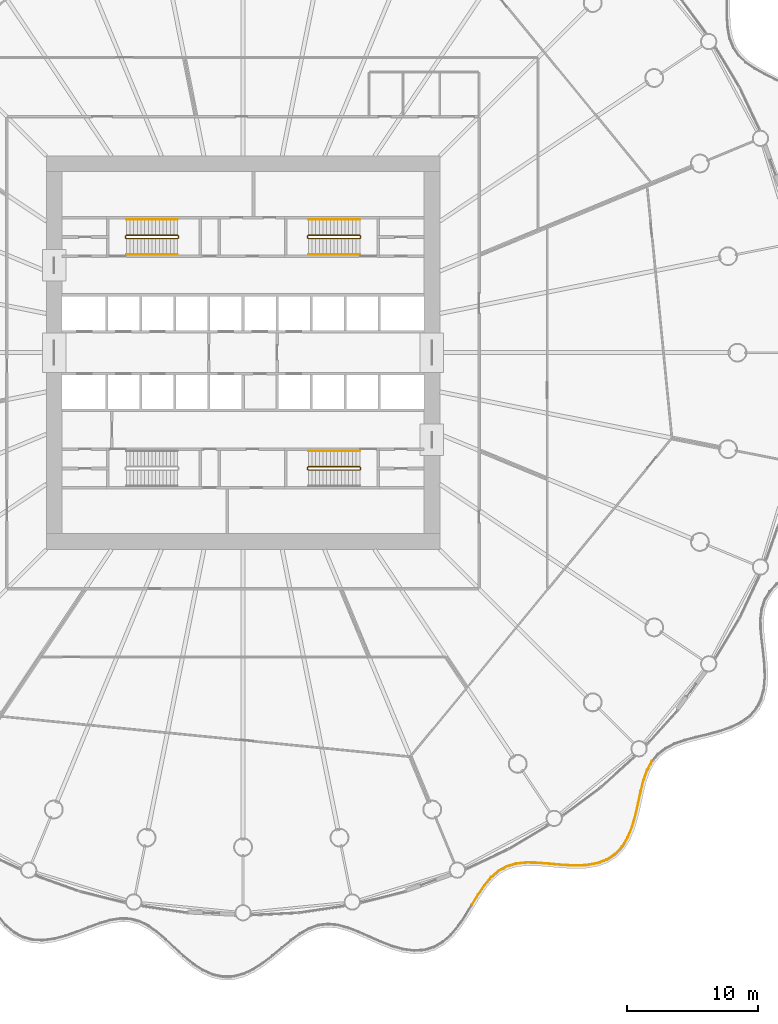
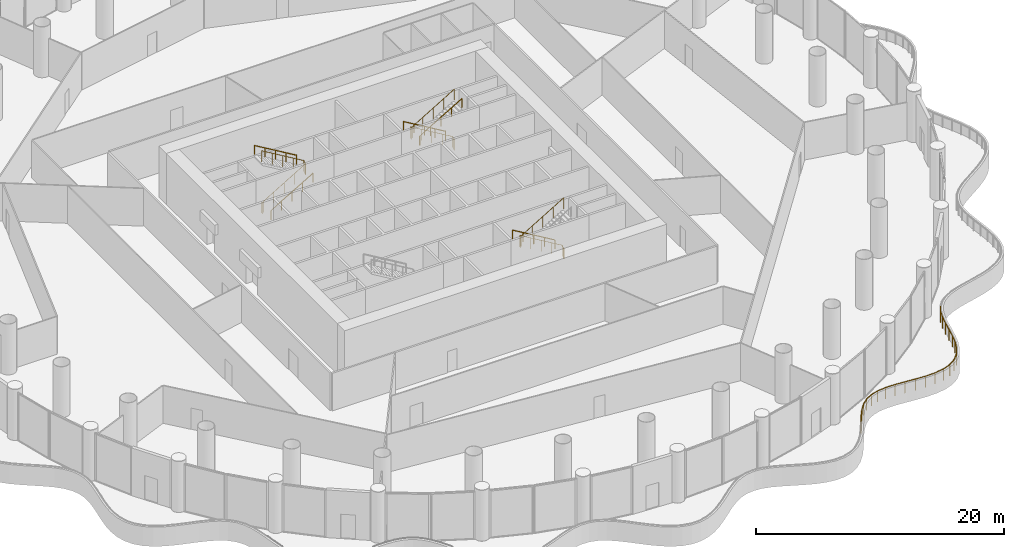
# One storey, part 35 of 38: 9 railings.
"""IFC4 building model written with IfcOpenShell, lengths in metres."""

from ifc_helpers import new_model, si_unit, direction, frame, origin, origin_2d, place, context, subcontext, project, spatial, circle, extrude, material, type_object, element, save


model = new_model("IFC4")

# Units and contexts
model_context = context("Model", 3, precision=1e-05, world=origin(), true_north=direction((0.0, 1.0)))
body_context = subcontext(model_context, "Body", "Model", "MODEL_VIEW")
ifc_project = project(units=[si_unit("LENGTHUNIT", "METRE"), si_unit("AREAUNIT", "SQUARE_METRE"), si_unit("VOLUMEUNIT", "CUBIC_METRE"), si_unit("PLANEANGLEUNIT", "RADIAN"), si_unit("MASSUNIT", "GRAM", prefix="KILO")], contexts=[model_context])

# Site, building, storey
site_placement = place(None, origin())
site = spatial("IfcSite", under=ifc_project, at=site_placement, CompositionType="ELEMENT")
building_placement = place(site_placement, origin())
building = spatial("IfcBuilding", under=site, at=building_placement, Name="Corvane Civic Tower", CompositionType="ELEMENT")
storey_placement = place(building_placement, frame((0.0, 0.0, 32.0)))
storey = spatial("IfcBuildingStorey", under=building, at=storey_placement, Name="L06", CompositionType="ELEMENT", Elevation=32.0)

# Railings
ifc_material_1 = material(Name="Steel ASTM A572 Gr 50", Category="steel")
railing_type_1 = type_object("IfcRailingType", Name="PODIUM-RL-GUARD-1100", PredefinedType="GUARDRAIL", material=ifc_material_1)
railing_1_placement = place(storey_placement, frame((17.453857421875, -42.084716796875, 0.0)))
element("IfcRailing", 1, at=railing_1_placement, inside=storey, type_object=railing_type_1, Name="L06 ribbon guard 10", PredefinedType="GUARDRAIL", context=body_context, shape_type="SweptSolid", body=[
    extrude(circle(Radius=0.02392578125, at=origin_2d()), frame((0.0, 0.0, 1.076171875), z_axis=(0.518326053625, 0.855183081061, 0.0), x_axis=(-0.855183081061, 0.518326053625, 0.0)), (0.0, 0.0, 1.0), 0.88916015625),
    extrude(circle(Radius=0.02392578125, at=origin_2d()), frame((0.4609375, 0.760498046875, 1.076171875), z_axis=(0.558339046952, 0.829612866733, 0.0), x_axis=(-0.829612866733, 0.558339046952, 0.0)), (0.0, 0.0, 1.0), 0.86572265625),
    extrude(circle(Radius=0.02392578125, at=origin_2d()), frame((0.9443359375, 1.478759765625, 1.076171875), z_axis=(0.641408912395, 0.767199196493, 0.0), x_axis=(-0.767199196493, 0.641408912395, 0.0)), (0.0, 0.0, 1.0), 0.803466796875),
    extrude(circle(Radius=0.02392578125, at=origin_2d()), frame((1.459716796875, 2.09521484375, 1.076171875), z_axis=(0.758495167123, 0.651678664259, 0.0), x_axis=(-0.651678664259, 0.758495167123, 0.0)), (0.0, 0.0, 1.0), 0.747314453125),
    extrude(circle(Radius=0.02392578125, at=origin_2d()), frame((2.026611328125, 2.582275390625, 1.076171875), z_axis=(0.878593615519, 0.477570161096, 0.0), x_axis=(-0.477570161096, 0.878593615519, 0.0)), (0.0, 0.0, 1.0), 0.720703125),
    extrude(circle(Radius=0.02392578125, at=origin_2d()), frame((2.659912109375, 2.926513671875, 1.076171875), z_axis=(0.961135284274, 0.276077824759, 0.0), x_axis=(-0.276077824759, 0.961135284274, 0.0)), (0.0, 0.0, 1.0), 0.736572265625),
    extrude(circle(Radius=0.02392578125, at=origin_2d()), frame((3.367919921875, 3.1298828125, 1.076171875), z_axis=(0.99500027102, 0.099872221717, 0.0), x_axis=(-0.099872221717, 0.99500027102, 0.0)), (0.0, 0.0, 1.0), 0.787109375),
    extrude(circle(Radius=0.02392578125, at=origin_2d()), frame((4.151123046875, 3.20849609375, 1.076171875), z_axis=(0.999797988108, -0.020099327733, 0.0), x_axis=(0.020099327733, 0.999797988108, 0.0)), (0.0, 0.0, 1.0), 0.850341796875),
    extrude(circle(Radius=0.02392578125, at=origin_2d()), frame((5.001220703125, 3.19140625, 1.076171875), z_axis=(0.996709608451, -0.081055267697, 0.0), x_axis=(0.081055267697, 0.996709608451, 0.0)), (0.0, 0.0, 1.0), 0.903564453125),
    extrude(circle(Radius=0.02392578125, at=origin_2d()), frame((5.90185546875, 3.1181640625, 1.076171875), z_axis=(0.995813388911, -0.09140948783, 0.0), x_axis=(0.09140948783, 0.995813388911, 0.0)), (0.0, 0.0, 1.0), 0.93212890625),
    extrude(circle(Radius=0.02392578125, at=origin_2d()), frame((6.830078125, 3.032958984375, 1.076171875), z_axis=(0.998506081569, -0.054640690599, 0.0), x_axis=(0.054640690599, 0.998506081569, 0.0)), (0.0, 0.0, 1.0), 0.929443359375),
    extrude(circle(Radius=0.02392578125, at=origin_2d()), frame((7.758056640625, 2.982177734375, 1.076171875), z_axis=(0.999577328884, 0.029071697252, 0.0), x_axis=(-0.029071697252, 0.999577328884, 0.0)), (0.0, 0.0, 1.0), 0.898681640625),
    extrude(circle(Radius=0.02392578125, at=origin_2d()), frame((8.65625, 3.00830078125, 1.076171875), z_axis=(0.986571775873, 0.163328292253, 0.0), x_axis=(-0.163328292253, 0.986571775873, 0.0)), (0.0, 0.0, 1.0), 0.8505859375),
    extrude(circle(Radius=0.02392578125, at=origin_2d()), frame((9.495361328125, 3.147216796875, 1.076171875), z_axis=(0.939180191042, 0.343424764329, 0.0), x_axis=(-0.343424764329, 0.939180191042, 0.0)), (0.0, 0.0, 1.0), 0.803955078125),
    extrude(circle(Radius=0.02392578125, at=origin_2d()), frame((10.25048828125, 3.42333984375, 1.076171875), z_axis=(0.837928150466, 0.545780555404, 0.0), x_axis=(-0.545780555404, 0.837928150466, 0.0)), (0.0, 0.0, 1.0), 0.77978515625),
    extrude(circle(Radius=0.02392578125, at=origin_2d()), frame((10.90380859375, 3.848876953125, 1.076171875), z_axis=(0.687177777686, 0.726489299202, 0.0), x_axis=(-0.726489299202, 0.687177777686, 0.0)), (0.0, 0.0, 1.0), 0.788818359375),
    extrude(circle(Radius=0.02392578125, at=origin_2d()), frame((11.44580078125, 4.421875, 1.076171875), z_axis=(0.522202059576, 0.852821792038, 0.0), x_axis=(-0.852821792038, 0.522202059576, 0.0)), (0.0, 0.0, 1.0), 0.8271484375),
    extrude(circle(Radius=0.02392578125, at=origin_2d()), frame((11.877685546875, 5.127197265625, 1.076171875), z_axis=(0.379825245493, 0.925058259185, 0.0), x_axis=(-0.925058259185, 0.379825245493, 0.0)), (0.0, 0.0, 1.0), 0.876708984375),
    extrude(circle(Radius=0.02392578125, at=origin_2d()), frame((12.210693359375, 5.938232421875, 1.076171875), z_axis=(0.278232456959, 0.960513768717, 0.0), x_axis=(-0.960513768717, 0.278232456959, 0.0)), (0.0, 0.0, 1.0), 0.917724609375),
    extrude(circle(Radius=0.02392578125, at=origin_2d()), frame((12.466064453125, 6.81982421875, 1.076171875), z_axis=(0.221463071094, 0.975168758801, 0.0), x_axis=(-0.975168758801, 0.221463071094, 0.0)), (0.0, 0.0, 1.0), 0.934814453125),
    extrude(circle(Radius=0.02392578125, at=origin_2d()), frame((12.673095703125, 7.7314453125, 1.076171875), z_axis=(0.20945666103, 0.977817931493, 0.0), x_axis=(-0.977817931493, 0.20945666103, 0.0)), (0.0, 0.0, 1.0), 0.9208984375),
    extrude(circle(Radius=0.02392578125, at=origin_2d()), frame((12.865966796875, 8.6318359375, 1.076171875), z_axis=(0.244694089906, 0.969600331253, 0.0), x_axis=(-0.969600331253, 0.244694089906, 0.0)), (0.0, 0.0, 1.0), 0.8779296875),
    extrude(circle(Radius=0.02392578125, at=origin_2d()), frame((13.080810546875, 9.483154296875, 1.076171875), z_axis=(0.332319844026, 0.94316675157, 0.0), x_axis=(-0.94316675157, 0.332319844026, 0.0)), (0.0, 0.0, 1.0), 0.81689453125),
    extrude(circle(Radius=0.02392578125, at=origin_2d()), frame((13.352294921875, 10.253662109375, 1.076171875), z_axis=(0.471314690588, 0.88196511407, 0.0), x_axis=(-0.88196511407, 0.471314690588, 0.0)), (0.0, 0.0, 1.0), 0.732421875),
    extrude(circle(Radius=0.02099609375, at=origin_2d()), origin(), (0.0, 0.0, 1.0), 1.052001953125),
    extrude(circle(Radius=0.02099609375, at=origin_2d()), frame((0.4609375, 0.760498046875, 0.0)), (0.0, 0.0, 1.0), 1.052001953125),
    extrude(circle(Radius=0.02099609375, at=origin_2d()), frame((0.9443359375, 1.478759765625, 0.0)), (0.0, 0.0, 1.0), 1.052001953125),
    extrude(circle(Radius=0.02099609375, at=origin_2d()), frame((1.459716796875, 2.09521484375, 0.0)), (0.0, 0.0, 1.0), 1.052001953125),
    extrude(circle(Radius=0.02099609375, at=origin_2d()), frame((2.026611328125, 2.582275390625, 0.0)), (0.0, 0.0, 1.0), 1.052001953125),
    extrude(circle(Radius=0.02099609375, at=origin_2d()), frame((2.659912109375, 2.926513671875, 0.0)), (0.0, 0.0, 1.0), 1.052001953125),
    extrude(circle(Radius=0.02099609375, at=origin_2d()), frame((3.367919921875, 3.1298828125, 0.0)), (0.0, 0.0, 1.0), 1.052001953125),
    extrude(circle(Radius=0.02099609375, at=origin_2d()), frame((4.151123046875, 3.20849609375, 0.0)), (0.0, 0.0, 1.0), 1.052001953125),
    extrude(circle(Radius=0.02099609375, at=origin_2d()), frame((5.001220703125, 3.19140625, 0.0)), (0.0, 0.0, 1.0), 1.052001953125),
    extrude(circle(Radius=0.02099609375, at=origin_2d()), frame((5.90185546875, 3.1181640625, 0.0)), (0.0, 0.0, 1.0), 1.052001953125),
    extrude(circle(Radius=0.02099609375, at=origin_2d()), frame((6.830078125, 3.032958984375, 0.0)), (0.0, 0.0, 1.0), 1.052001953125),
    extrude(circle(Radius=0.02099609375, at=origin_2d()), frame((7.758056640625, 2.982177734375, 0.0)), (0.0, 0.0, 1.0), 1.052001953125),
    extrude(circle(Radius=0.02099609375, at=origin_2d()), frame((8.65625, 3.00830078125, 0.0)), (0.0, 0.0, 1.0), 1.052001953125),
    extrude(circle(Radius=0.02099609375, at=origin_2d()), frame((9.495361328125, 3.147216796875, 0.0)), (0.0, 0.0, 1.0), 1.052001953125),
    extrude(circle(Radius=0.02099609375, at=origin_2d()), frame((10.25048828125, 3.42333984375, 0.0)), (0.0, 0.0, 1.0), 1.052001953125),
    extrude(circle(Radius=0.02099609375, at=origin_2d()), frame((10.90380859375, 3.848876953125, 0.0)), (0.0, 0.0, 1.0), 1.052001953125),
    extrude(circle(Radius=0.02099609375, at=origin_2d()), frame((11.44580078125, 4.421875, 0.0)), (0.0, 0.0, 1.0), 1.052001953125),
    extrude(circle(Radius=0.02099609375, at=origin_2d()), frame((11.877685546875, 5.127197265625, 0.0)), (0.0, 0.0, 1.0), 1.052001953125),
    extrude(circle(Radius=0.02099609375, at=origin_2d()), frame((12.210693359375, 5.938232421875, 0.0)), (0.0, 0.0, 1.0), 1.052001953125),
    extrude(circle(Radius=0.02099609375, at=origin_2d()), frame((12.466064453125, 6.81982421875, 0.0)), (0.0, 0.0, 1.0), 1.052001953125),
    extrude(circle(Radius=0.02099609375, at=origin_2d()), frame((12.673095703125, 7.7314453125, 0.0)), (0.0, 0.0, 1.0), 1.052001953125),
    extrude(circle(Radius=0.02099609375, at=origin_2d()), frame((12.865966796875, 8.6318359375, 0.0)), (0.0, 0.0, 1.0), 1.052001953125),
    extrude(circle(Radius=0.02099609375, at=origin_2d()), frame((13.080810546875, 9.483154296875, 0.0)), (0.0, 0.0, 1.0), 1.052001953125),
    extrude(circle(Radius=0.02099609375, at=origin_2d()), frame((13.352294921875, 10.253662109375, 0.0)), (0.0, 0.0, 1.0), 1.052001953125),
    extrude(circle(Radius=0.02099609375, at=origin_2d()), frame((13.697509765625, 10.899658203125, 0.0)), (0.0, 0.0, 1.0), 1.052001953125),
])
ifc_material_2 = material(Name="Steel ASTM A572 Gr 50", Category="steel")
railing_type_2 = type_object("IfcRailingType", Name="ST-GUARD-1100", PredefinedType="GUARDRAIL", material=ifc_material_2)
railing_2_placement = place(storey_placement, frame((8.949951171875, 8.75, 0.0)))
element("IfcRailing", 2, at=railing_2_placement, inside=storey, type_object=railing_type_2, Name="L06 ST1 stair guard 1", PredefinedType="GUARDRAIL", context=body_context, shape_type="SweptSolid", body=[
    extrude(circle(Radius=0.02392578125, at=origin_2d()), frame((0.0, 0.0, 1.076171875), z_axis=(0.0, 1.0, 0.0), x_axis=(-1.0, 0.0, 0.0)), (0.0, 0.0, 1.0), 0.14990234375),
    extrude(circle(Radius=0.02392578125, at=origin_2d()), frame((0.0, 0.14990234375, 1.076171875), z_axis=(-0.27628659633, 0.27628659633, 0.920506074601), x_axis=(-0.707106781187, -0.707106781187, 0.0)), (0.0, 0.0, 1.0), 0.18115234375),
    extrude(circle(Radius=0.02392578125, at=origin_2d()), frame((-0.050048828125, 0.199951171875, 1.24267578125), z_axis=(-0.859296244711, 0.0, 0.511478214419), x_axis=(0.0, -1.0, 0.0)), (0.0, 0.0, 1.0), 4.561767578125),
    extrude(circle(Radius=0.02392578125, at=origin_2d()), frame((-3.969970703125, 0.199951171875, 3.576171875), z_axis=(-0.707106781187, -0.707106781187, 0.0), x_axis=(0.707106781187, -0.707106781187, 0.0)), (0.0, 0.0, 1.0), 0.07080078125),
    extrude(circle(Radius=0.02392578125, at=origin_2d()), frame((-4.02001953125, 0.14990234375, 3.576171875), z_axis=(0.0, -1.0, 0.0), x_axis=(1.0, 0.0, 0.0)), (0.0, 0.0, 1.0), 0.14990234375),
    extrude(circle(Radius=0.02392578125, at=origin_2d()), frame((-4.02001953125, 0.0, 3.576171875), z_axis=(0.27628659633, -0.27628659633, 0.920506074601), x_axis=(0.707106781187, 0.707106781187, 0.0)), (0.0, 0.0, 1.0), 0.18115234375),
    extrude(circle(Radius=0.02392578125, at=origin_2d()), frame((-3.969970703125, -0.050048828125, 3.74267578125), z_axis=(0.859296244711, 0.0, 0.511478214419), x_axis=(0.0, 1.0, 0.0)), (0.0, 0.0, 1.0), 4.561767578125),
    extrude(circle(Radius=0.02099609375, at=origin_2d()), origin(), (0.0, 0.0, 1.0), 1.052001953125),
    extrude(circle(Radius=0.02099609375, at=origin_2d()), frame((0.0, 0.14990234375, 0.0)), (0.0, 0.0, 1.0), 1.052001953125),
    extrude(circle(Radius=0.02099609375, at=origin_2d()), frame((-0.050048828125, 0.199951171875, 0.166748046875)), (0.0, 0.0, 1.0), 1.052001953125),
    extrude(circle(Radius=0.02099609375, at=origin_2d()), frame((-1.030029296875, 0.199951171875, 0.75)), (0.0, 0.0, 1.0), 1.052001953125),
    extrude(circle(Radius=0.02099609375, at=origin_2d()), frame((-2.010009765625, 0.199951171875, 1.33349609375)), (0.0, 0.0, 1.0), 1.052001953125),
    extrude(circle(Radius=0.02099609375, at=origin_2d()), frame((-2.989990234375, 0.199951171875, 1.916748046875)), (0.0, 0.0, 1.0), 1.052001953125),
    extrude(circle(Radius=0.02099609375, at=origin_2d()), frame((-3.969970703125, 0.199951171875, 2.5)), (0.0, 0.0, 1.0), 1.052001953125),
    extrude(circle(Radius=0.02099609375, at=origin_2d()), frame((-4.02001953125, 0.14990234375, 2.5)), (0.0, 0.0, 1.0), 1.052001953125),
    extrude(circle(Radius=0.02099609375, at=origin_2d()), frame((-4.02001953125, 0.0, 2.5)), (0.0, 0.0, 1.0), 1.052001953125),
    extrude(circle(Radius=0.02099609375, at=origin_2d()), frame((-3.969970703125, -0.050048828125, 2.666748046875)), (0.0, 0.0, 1.0), 1.052001953125),
    extrude(circle(Radius=0.02099609375, at=origin_2d()), frame((-2.989990234375, -0.050048828125, 3.25)), (0.0, 0.0, 1.0), 1.052001953125),
    extrude(circle(Radius=0.02099609375, at=origin_2d()), frame((-2.010009765625, -0.050048828125, 3.83349609375)), (0.0, 0.0, 1.0), 1.052001953125),
    extrude(circle(Radius=0.02099609375, at=origin_2d()), frame((-1.030029296875, -0.050048828125, 4.416748046875)), (0.0, 0.0, 1.0), 1.052001953125),
    extrude(circle(Radius=0.02099609375, at=origin_2d()), frame((-0.050048828125, -0.050048828125, 5.0)), (0.0, 0.0, 1.0), 1.052001953125),
])
railing_3_placement = place(storey_placement, frame((8.949951171875, -8.89990234375, 0.0)))
element("IfcRailing", 3, at=railing_3_placement, inside=storey, type_object=railing_type_2, Name="L06 ST2 stair guard 1", PredefinedType="GUARDRAIL", context=body_context, shape_type="SweptSolid", body=[
    extrude(circle(Radius=0.02392578125, at=origin_2d()), frame((0.0, 0.0, 1.076171875), z_axis=(0.0, 1.0, 0.0), x_axis=(-1.0, 0.0, 0.0)), (0.0, 0.0, 1.0), 0.14990234375),
    extrude(circle(Radius=0.02392578125, at=origin_2d()), frame((0.0, 0.14990234375, 1.076171875), z_axis=(-0.27628659633, 0.27628659633, 0.920506074601), x_axis=(-0.707106781187, -0.707106781187, 0.0)), (0.0, 0.0, 1.0), 0.18115234375),
    extrude(circle(Radius=0.02392578125, at=origin_2d()), frame((-0.050048828125, 0.199951171875, 1.24267578125), z_axis=(-0.859296244711, 0.0, 0.511478214419), x_axis=(0.0, -1.0, 0.0)), (0.0, 0.0, 1.0), 4.561767578125),
    extrude(circle(Radius=0.02392578125, at=origin_2d()), frame((-3.969970703125, 0.199951171875, 3.576171875), z_axis=(-0.707106781187, -0.707106781187, 0.0), x_axis=(0.707106781187, -0.707106781187, 0.0)), (0.0, 0.0, 1.0), 0.07080078125),
    extrude(circle(Radius=0.02392578125, at=origin_2d()), frame((-4.02001953125, 0.14990234375, 3.576171875), z_axis=(0.0, -1.0, 0.0), x_axis=(1.0, 0.0, 0.0)), (0.0, 0.0, 1.0), 0.14990234375),
    extrude(circle(Radius=0.02392578125, at=origin_2d()), frame((-4.02001953125, 0.0, 3.576171875), z_axis=(0.27628659633, -0.27628659633, 0.920506074601), x_axis=(0.707106781187, 0.707106781187, 0.0)), (0.0, 0.0, 1.0), 0.18115234375),
    extrude(circle(Radius=0.02392578125, at=origin_2d()), frame((-3.969970703125, -0.050048828125, 3.74267578125), z_axis=(0.859296244711, 0.0, 0.511478214419), x_axis=(0.0, 1.0, 0.0)), (0.0, 0.0, 1.0), 4.561767578125),
    extrude(circle(Radius=0.02099609375, at=origin_2d()), origin(), (0.0, 0.0, 1.0), 1.052001953125),
    extrude(circle(Radius=0.02099609375, at=origin_2d()), frame((0.0, 0.14990234375, 0.0)), (0.0, 0.0, 1.0), 1.052001953125),
    extrude(circle(Radius=0.02099609375, at=origin_2d()), frame((-0.050048828125, 0.199951171875, 0.166748046875)), (0.0, 0.0, 1.0), 1.052001953125),
    extrude(circle(Radius=0.02099609375, at=origin_2d()), frame((-1.030029296875, 0.199951171875, 0.75)), (0.0, 0.0, 1.0), 1.052001953125),
    extrude(circle(Radius=0.02099609375, at=origin_2d()), frame((-2.010009765625, 0.199951171875, 1.33349609375)), (0.0, 0.0, 1.0), 1.052001953125),
    extrude(circle(Radius=0.02099609375, at=origin_2d()), frame((-2.989990234375, 0.199951171875, 1.916748046875)), (0.0, 0.0, 1.0), 1.052001953125),
    extrude(circle(Radius=0.02099609375, at=origin_2d()), frame((-3.969970703125, 0.199951171875, 2.5)), (0.0, 0.0, 1.0), 1.052001953125),
    extrude(circle(Radius=0.02099609375, at=origin_2d()), frame((-4.02001953125, 0.14990234375, 2.5)), (0.0, 0.0, 1.0), 1.052001953125),
    extrude(circle(Radius=0.02099609375, at=origin_2d()), frame((-4.02001953125, 0.0, 2.5)), (0.0, 0.0, 1.0), 1.052001953125),
    extrude(circle(Radius=0.02099609375, at=origin_2d()), frame((-3.969970703125, -0.050048828125, 2.666748046875)), (0.0, 0.0, 1.0), 1.052001953125),
    extrude(circle(Radius=0.02099609375, at=origin_2d()), frame((-2.989990234375, -0.050048828125, 3.25)), (0.0, 0.0, 1.0), 1.052001953125),
    extrude(circle(Radius=0.02099609375, at=origin_2d()), frame((-2.010009765625, -0.050048828125, 3.83349609375)), (0.0, 0.0, 1.0), 1.052001953125),
    extrude(circle(Radius=0.02099609375, at=origin_2d()), frame((-1.030029296875, -0.050048828125, 4.416748046875)), (0.0, 0.0, 1.0), 1.052001953125),
    extrude(circle(Radius=0.02099609375, at=origin_2d()), frame((-0.050048828125, -0.050048828125, 5.0)), (0.0, 0.0, 1.0), 1.052001953125),
])
railing_4_placement = place(storey_placement, frame((-8.949951171875, 8.89990234375, 0.0)))
element("IfcRailing", 4, at=railing_4_placement, inside=storey, type_object=railing_type_2, Name="L06 ST4 stair guard 1", PredefinedType="GUARDRAIL", context=body_context, shape_type="SweptSolid", body=[
    extrude(circle(Radius=0.02392578125, at=origin_2d()), frame((0.0, 0.0, 1.076171875), z_axis=(0.0, -1.0, 0.0), x_axis=(1.0, 0.0, 0.0)), (0.0, 0.0, 1.0), 0.14990234375),
    extrude(circle(Radius=0.02392578125, at=origin_2d()), frame((0.0, -0.14990234375, 1.076171875), z_axis=(0.27628659633, -0.27628659633, 0.920506074601), x_axis=(0.707106781187, 0.707106781187, 0.0)), (0.0, 0.0, 1.0), 0.18115234375),
    extrude(circle(Radius=0.02392578125, at=origin_2d()), frame((0.050048828125, -0.199951171875, 1.24267578125), z_axis=(0.859296244711, 0.0, 0.511478214419), x_axis=(0.0, 1.0, 0.0)), (0.0, 0.0, 1.0), 4.561767578125),
    extrude(circle(Radius=0.02392578125, at=origin_2d()), frame((3.969970703125, -0.199951171875, 3.576171875), z_axis=(0.707106781187, 0.707106781187, 0.0), x_axis=(-0.707106781187, 0.707106781187, 0.0)), (0.0, 0.0, 1.0), 0.07080078125),
    extrude(circle(Radius=0.02392578125, at=origin_2d()), frame((4.02001953125, -0.14990234375, 3.576171875), z_axis=(0.0, 1.0, 0.0), x_axis=(-1.0, 0.0, 0.0)), (0.0, 0.0, 1.0), 0.14990234375),
    extrude(circle(Radius=0.02392578125, at=origin_2d()), frame((4.02001953125, 0.0, 3.576171875), z_axis=(-0.27628659633, 0.27628659633, 0.920506074601), x_axis=(-0.707106781187, -0.707106781187, 0.0)), (0.0, 0.0, 1.0), 0.18115234375),
    extrude(circle(Radius=0.02392578125, at=origin_2d()), frame((3.969970703125, 0.050048828125, 3.74267578125), z_axis=(-0.859296244711, 0.0, 0.511478214419), x_axis=(0.0, -1.0, 0.0)), (0.0, 0.0, 1.0), 4.561767578125),
    extrude(circle(Radius=0.02099609375, at=origin_2d()), origin(), (0.0, 0.0, 1.0), 1.052001953125),
    extrude(circle(Radius=0.02099609375, at=origin_2d()), frame((0.0, -0.14990234375, 0.0)), (0.0, 0.0, 1.0), 1.052001953125),
    extrude(circle(Radius=0.02099609375, at=origin_2d()), frame((0.050048828125, -0.199951171875, 0.166748046875)), (0.0, 0.0, 1.0), 1.052001953125),
    extrude(circle(Radius=0.02099609375, at=origin_2d()), frame((1.030029296875, -0.199951171875, 0.75)), (0.0, 0.0, 1.0), 1.052001953125),
    extrude(circle(Radius=0.02099609375, at=origin_2d()), frame((2.010009765625, -0.199951171875, 1.33349609375)), (0.0, 0.0, 1.0), 1.052001953125),
    extrude(circle(Radius=0.02099609375, at=origin_2d()), frame((2.989990234375, -0.199951171875, 1.916748046875)), (0.0, 0.0, 1.0), 1.052001953125),
    extrude(circle(Radius=0.02099609375, at=origin_2d()), frame((3.969970703125, -0.199951171875, 2.5)), (0.0, 0.0, 1.0), 1.052001953125),
    extrude(circle(Radius=0.02099609375, at=origin_2d()), frame((4.02001953125, -0.14990234375, 2.5)), (0.0, 0.0, 1.0), 1.052001953125),
    extrude(circle(Radius=0.02099609375, at=origin_2d()), frame((4.02001953125, 0.0, 2.5)), (0.0, 0.0, 1.0), 1.052001953125),
    extrude(circle(Radius=0.02099609375, at=origin_2d()), frame((3.969970703125, 0.050048828125, 2.666748046875)), (0.0, 0.0, 1.0), 1.052001953125),
    extrude(circle(Radius=0.02099609375, at=origin_2d()), frame((2.989990234375, 0.050048828125, 3.25)), (0.0, 0.0, 1.0), 1.052001953125),
    extrude(circle(Radius=0.02099609375, at=origin_2d()), frame((2.010009765625, 0.050048828125, 3.83349609375)), (0.0, 0.0, 1.0), 1.052001953125),
    extrude(circle(Radius=0.02099609375, at=origin_2d()), frame((1.030029296875, 0.050048828125, 4.416748046875)), (0.0, 0.0, 1.0), 1.052001953125),
    extrude(circle(Radius=0.02099609375, at=origin_2d()), frame((0.050048828125, 0.050048828125, 5.0)), (0.0, 0.0, 1.0), 1.052001953125),
])
ifc_material_3 = material(Name="Steel ASTM A572 Gr 50", Category="steel")
railing_type_3 = type_object("IfcRailingType", Name="ST-HANDRAIL-900", PredefinedType="HANDRAIL", material=ifc_material_3)
railing_5_placement = place(storey_placement, frame((8.89990234375, 10.14990234375, 0.166748046875)))
element("IfcRailing", 5, at=railing_5_placement, inside=storey, type_object=railing_type_3, Name="L06 ST1 stair handrail 1", PredefinedType="HANDRAIL", context=body_context, shape_type="SweptSolid", body=[
    extrude(circle(Radius=0.02392578125, at=origin_2d()), frame((0.0, 0.0, 0.8759765625), z_axis=(-0.859296244711, 0.0, 0.511478214419), x_axis=(0.0, -1.0, 0.0)), (0.0, 0.0, 1.0), 4.561767578125),
    extrude(circle(Radius=0.02099609375, at=origin_2d()), origin(), (0.0, 0.0, 1.0), 0.851806640625),
    extrude(circle(Radius=0.02099609375, at=origin_2d()), frame((-0.97998046875, 0.0, 0.583251953125)), (0.0, 0.0, 1.0), 0.851806640625),
    extrude(circle(Radius=0.02099609375, at=origin_2d()), frame((-1.9599609375, 0.0, 1.16650390625)), (0.0, 0.0, 1.0), 0.851806640625),
    extrude(circle(Radius=0.02099609375, at=origin_2d()), frame((-2.93994140625, 0.0, 1.75)), (0.0, 0.0, 1.0), 0.851806640625),
    extrude(circle(Radius=0.02099609375, at=origin_2d()), frame((-3.919921875, 0.0, 2.333251953125)), (0.0, 0.0, 1.0), 0.851806640625),
])
railing_6_placement = place(storey_placement, frame((4.97998046875, 7.5, 2.666748046875)))
element("IfcRailing", 6, at=railing_6_placement, inside=storey, type_object=railing_type_3, Name="L06 ST1 stair handrail 2", PredefinedType="HANDRAIL", context=body_context, shape_type="SweptSolid", body=[
    extrude(circle(Radius=0.02392578125, at=origin_2d()), frame((0.0, 0.0, 0.8759765625), z_axis=(0.859296244711, 0.0, 0.511478214419), x_axis=(0.0, 1.0, 0.0)), (0.0, 0.0, 1.0), 4.561767578125),
    extrude(circle(Radius=0.02099609375, at=origin_2d()), origin(), (0.0, 0.0, 1.0), 0.851806640625),
    extrude(circle(Radius=0.02099609375, at=origin_2d()), frame((0.97998046875, 0.0, 0.583251953125)), (0.0, 0.0, 1.0), 0.851806640625),
    extrude(circle(Radius=0.02099609375, at=origin_2d()), frame((1.9599609375, 0.0, 1.16650390625)), (0.0, 0.0, 1.0), 0.851806640625),
    extrude(circle(Radius=0.02099609375, at=origin_2d()), frame((2.93994140625, 0.0, 1.75)), (0.0, 0.0, 1.0), 0.851806640625),
    extrude(circle(Radius=0.02099609375, at=origin_2d()), frame((3.919921875, 0.0, 2.333251953125)), (0.0, 0.0, 1.0), 0.851806640625),
])
railing_7_placement = place(storey_placement, frame((8.89990234375, -7.5, 0.166748046875)))
element("IfcRailing", 7, at=railing_7_placement, inside=storey, type_object=railing_type_3, Name="L06 ST2 stair handrail 1", PredefinedType="HANDRAIL", context=body_context, shape_type="SweptSolid", body=[
    extrude(circle(Radius=0.02392578125, at=origin_2d()), frame((0.0, 0.0, 0.8759765625), z_axis=(-0.859296244711, 0.0, 0.511478214419), x_axis=(0.0, -1.0, 0.0)), (0.0, 0.0, 1.0), 4.561767578125),
    extrude(circle(Radius=0.02099609375, at=origin_2d()), origin(), (0.0, 0.0, 1.0), 0.851806640625),
    extrude(circle(Radius=0.02099609375, at=origin_2d()), frame((-0.97998046875, 0.0, 0.583251953125)), (0.0, 0.0, 1.0), 0.851806640625),
    extrude(circle(Radius=0.02099609375, at=origin_2d()), frame((-1.9599609375, 0.0, 1.16650390625)), (0.0, 0.0, 1.0), 0.851806640625),
    extrude(circle(Radius=0.02099609375, at=origin_2d()), frame((-2.93994140625, 0.0, 1.75)), (0.0, 0.0, 1.0), 0.851806640625),
    extrude(circle(Radius=0.02099609375, at=origin_2d()), frame((-3.919921875, 0.0, 2.333251953125)), (0.0, 0.0, 1.0), 0.851806640625),
])
railing_8_placement = place(storey_placement, frame((-8.89990234375, 7.5, 0.166748046875)))
element("IfcRailing", 8, at=railing_8_placement, inside=storey, type_object=railing_type_3, Name="L06 ST4 stair handrail 1", PredefinedType="HANDRAIL", context=body_context, shape_type="SweptSolid", body=[
    extrude(circle(Radius=0.02392578125, at=origin_2d()), frame((0.0, 0.0, 0.8759765625), z_axis=(0.859296244711, 0.0, 0.511478214419), x_axis=(0.0, 1.0, 0.0)), (0.0, 0.0, 1.0), 4.561767578125),
    extrude(circle(Radius=0.02099609375, at=origin_2d()), origin(), (0.0, 0.0, 1.0), 0.851806640625),
    extrude(circle(Radius=0.02099609375, at=origin_2d()), frame((0.97998046875, 0.0, 0.583251953125)), (0.0, 0.0, 1.0), 0.851806640625),
    extrude(circle(Radius=0.02099609375, at=origin_2d()), frame((1.9599609375, 0.0, 1.16650390625)), (0.0, 0.0, 1.0), 0.851806640625),
    extrude(circle(Radius=0.02099609375, at=origin_2d()), frame((2.93994140625, 0.0, 1.75)), (0.0, 0.0, 1.0), 0.851806640625),
    extrude(circle(Radius=0.02099609375, at=origin_2d()), frame((3.919921875, 0.0, 2.333251953125)), (0.0, 0.0, 1.0), 0.851806640625),
])
railing_9_placement = place(storey_placement, frame((-4.97998046875, 10.14990234375, 2.666748046875)))
element("IfcRailing", 9, at=railing_9_placement, inside=storey, type_object=railing_type_3, Name="L06 ST4 stair handrail 2", PredefinedType="HANDRAIL", context=body_context, shape_type="SweptSolid", body=[
    extrude(circle(Radius=0.02392578125, at=origin_2d()), frame((0.0, 0.0, 0.8759765625), z_axis=(-0.859296244711, 0.0, 0.511478214419), x_axis=(0.0, -1.0, 0.0)), (0.0, 0.0, 1.0), 4.561767578125),
    extrude(circle(Radius=0.02099609375, at=origin_2d()), origin(), (0.0, 0.0, 1.0), 0.851806640625),
    extrude(circle(Radius=0.02099609375, at=origin_2d()), frame((-0.97998046875, 0.0, 0.583251953125)), (0.0, 0.0, 1.0), 0.851806640625),
    extrude(circle(Radius=0.02099609375, at=origin_2d()), frame((-1.9599609375, 0.0, 1.16650390625)), (0.0, 0.0, 1.0), 0.851806640625),
    extrude(circle(Radius=0.02099609375, at=origin_2d()), frame((-2.93994140625, 0.0, 1.75)), (0.0, 0.0, 1.0), 0.851806640625),
    extrude(circle(Radius=0.02099609375, at=origin_2d()), frame((-3.919921875, 0.0, 2.333251953125)), (0.0, 0.0, 1.0), 0.851806640625),
])

save(model, "model.ifc")
